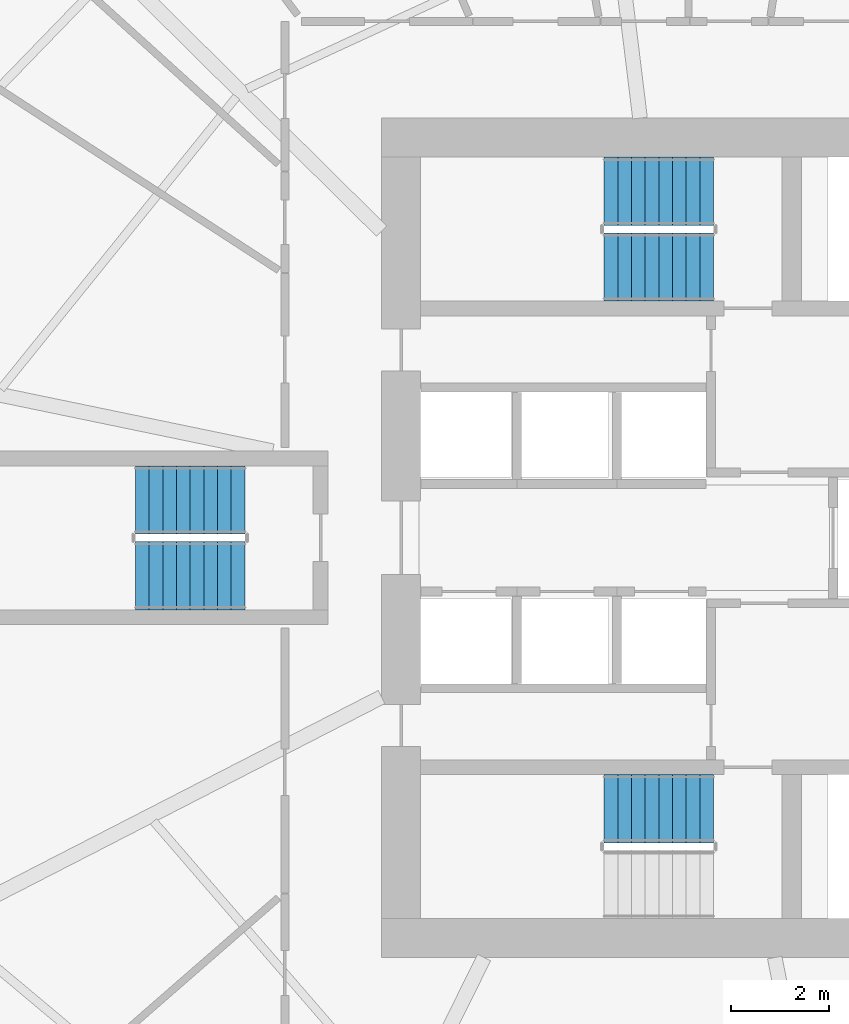
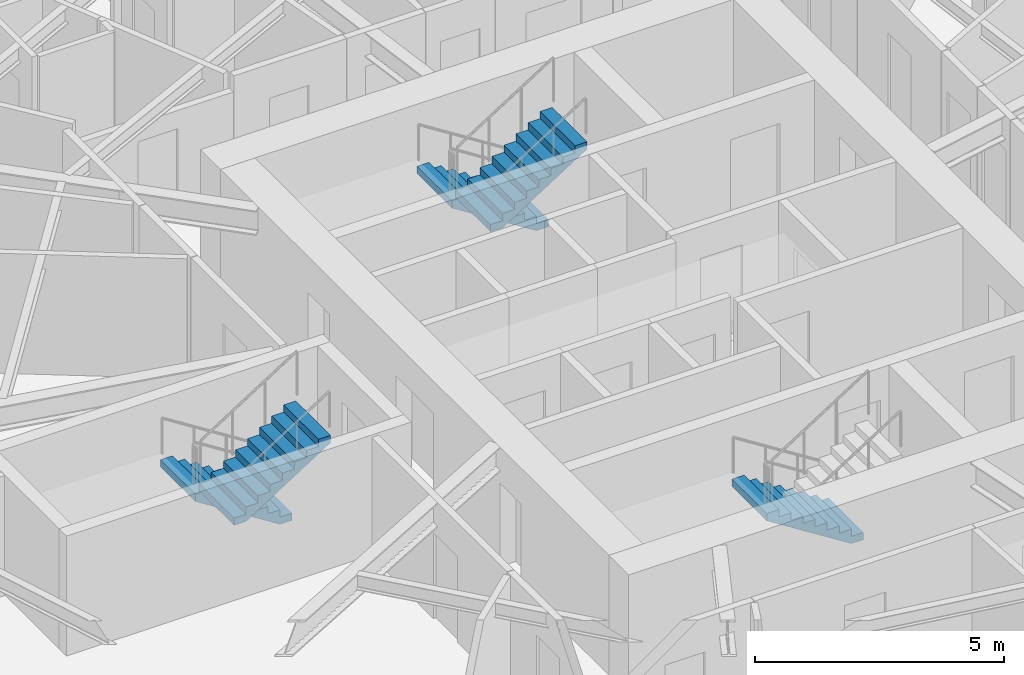
# One storey, part 10 of 14: 5 stair flights, 3 elements without a shape of their own.
"""IFC4 building model written with IfcOpenShell, lengths in metres."""

from ifc_helpers import new_model, si_unit, direction, frame, origin, place, context, subcontext, project, spatial, polyline, outline, extrude, source, transform, mapped, material, type_object, element, aggregate, save


model = new_model("IFC4")

# Units and contexts
model_context = context("Model", 3, precision=1e-05, world=origin(), true_north=direction((0.0, 1.0)))
body_context = subcontext(model_context, "Body", "Model", "MODEL_VIEW")
ifc_project = project(units=[si_unit("LENGTHUNIT", "METRE"), si_unit("AREAUNIT", "SQUARE_METRE"), si_unit("VOLUMEUNIT", "CUBIC_METRE"), si_unit("PLANEANGLEUNIT", "RADIAN"), si_unit("MASSUNIT", "GRAM", prefix="KILO")], contexts=[model_context])

# Site, building, storey
site_placement = place(None, origin())
site = spatial("IfcSite", under=ifc_project, at=site_placement, CompositionType="ELEMENT")
building_placement = place(site_placement, origin())
building = spatial("IfcBuilding", under=site, at=building_placement, Name="Qafzar Sky-Pleat Residences", CompositionType="ELEMENT")
storey_placement = place(building_placement, frame((0.0, 0.0, 43.0)))
storey = spatial("IfcBuildingStorey", under=building, at=storey_placement, Name="L12", CompositionType="ELEMENT", Elevation=43.0)

# Stair, stair flight
ifc_material = material(Name="Concrete C40/50", Category="concrete")
stair_type = type_object("IfcStairType", Name="STAIR-H320", PredefinedType="HALF_TURN_STAIR", material=ifc_material)
stair_1_placement = place(storey_placement, origin())
stair_1 = element("IfcStair", 1, at=stair_1_placement, inside=storey, type_object=stair_type, Name="L12 Protected Exit Stair ST1", PredefinedType="HALF_TURN_STAIR")
stair_flight_type = type_object("IfcStairFlightType", Name="FLIGHT-H320", PredefinedType="STRAIGHT", material=ifc_material)
shared_shape = source(origin(), body_context, "Body", "SweptSolid", [
    extrude(outline(polyline([(0.0, 0.0), (0.0, 0.177734375), (0.280029296875, 0.177734375), (0.280029296875, 0.35546875), (0.56005859375, 0.35546875), (0.56005859375, 0.533447265625), (0.840087890625, 0.533447265625), (0.840087890625, 0.711181640625), (1.1201171875, 0.711181640625), (1.1201171875, 0.888916015625), (1.39990234375, 0.888916015625), (1.39990234375, 1.066650390625), (1.679931640625, 1.066650390625), (1.679931640625, 1.244384765625), (1.9599609375, 1.244384765625), (1.9599609375, 1.422119140625), (2.239990234375, 1.422119140625), (2.239990234375, 1.60009765625), (2.239990234375, 1.24462890625), (0.27978515625, 0.0), (0.0, 0.0)])), frame((0.0, 0.699951171875, 0.0), z_axis=(0.0, -1.0, 0.0), x_axis=(1.0, 0.0, 0.0)), (0.0, 0.0, 1.0), 1.39990234375),
])
stair_flight_1_placement = place(storey_placement, frame((30.800048828125, 20.449951171875, 0.0), z_axis=(0.0, 0.0, 1.0), x_axis=(-1.0, 0.0, 0.0)))
stair_flight_1 = element("IfcStairFlight", 2, at=stair_flight_1_placement, type_object=stair_flight_type, Name="ST1 flight 1", NumberOfRisers=9, NumberOfTreads=8, PredefinedType="STRAIGHT", RiserHeight=0.177777778, TreadLength=0.28, context=body_context, shape_type="MappedRepresentation", body=[
    mapped(shared_shape, transform((0.0, 0.0, 0.0), x_axis=(1.0, 0.0, 0.0), y_axis=(0.0, 1.0, 0.0), z_axis=(0.0, 0.0, 1.0), scale=1.0)),
])
aggregate(stair_1, [stair_flight_1])

# Stair, stair flights
stair_2_placement = place(storey_placement, origin())
stair_2 = element("IfcStair", 3, at=stair_2_placement, inside=storey, type_object=stair_type, Name="L12 Protected Exit Stair ST2", PredefinedType="HALF_TURN_STAIR")
stair_flight_2_placement = place(storey_placement, frame((30.800048828125, 33.10009765625, 0.0), z_axis=(0.0, 0.0, 1.0), x_axis=(-1.0, 0.0, 0.0)))
stair_flight_2 = element("IfcStairFlight", 4, at=stair_flight_2_placement, type_object=stair_flight_type, Name="ST2 flight 1", NumberOfRisers=9, NumberOfTreads=8, PredefinedType="STRAIGHT", RiserHeight=0.177777778, TreadLength=0.28, context=body_context, shape_type="MappedRepresentation", body=[
    mapped(shared_shape, transform((0.0, 0.0, 0.0), x_axis=(1.0, 0.0, 0.0), y_axis=(0.0, 1.0, 0.0), z_axis=(0.0, 0.0, 1.0), scale=1.0)),
])
stair_flight_3_placement = place(storey_placement, frame((28.56005859375, 31.550048828125, 1.60009765625), z_axis=(0.0, 0.0, 1.0), x_axis=(1.0, 0.0, 0.0)))
stair_flight_3 = element("IfcStairFlight", 5, at=stair_flight_3_placement, type_object=stair_flight_type, Name="ST2 flight 2", NumberOfRisers=9, NumberOfTreads=8, PredefinedType="STRAIGHT", RiserHeight=0.177777778, TreadLength=0.28, context=body_context, shape_type="MappedRepresentation", body=[
    mapped(shared_shape, transform((0.0, 0.0, 0.0), x_axis=(1.0, 0.0, 0.0), y_axis=(0.0, 1.0, 0.0), z_axis=(0.0, 0.0, 1.0), scale=1.0)),
])
aggregate(stair_2, [stair_flight_2, stair_flight_3])

stair_3_placement = place(storey_placement, origin())
stair_3 = element("IfcStair", 6, at=stair_3_placement, inside=storey, type_object=stair_type, Name="L12 Protected Exit Stair ST3", PredefinedType="HALF_TURN_STAIR")
stair_flight_4_placement = place(storey_placement, frame((21.199951171875, 26.77490234375, 0.0), z_axis=(0.0, 0.0, 1.0), x_axis=(-1.0, 0.0, 0.0)))
stair_flight_4 = element("IfcStairFlight", 7, at=stair_flight_4_placement, type_object=stair_flight_type, Name="ST3 flight 1", NumberOfRisers=9, NumberOfTreads=8, PredefinedType="STRAIGHT", RiserHeight=0.177777778, TreadLength=0.28, context=body_context, shape_type="MappedRepresentation", body=[
    mapped(shared_shape, transform((0.0, 0.0, 0.0), x_axis=(1.0, 0.0, 0.0), y_axis=(0.0, 1.0, 0.0), z_axis=(0.0, 0.0, 1.0), scale=1.0)),
])
stair_flight_5_placement = place(storey_placement, frame((18.9599609375, 25.22509765625, 1.60009765625), z_axis=(0.0, 0.0, 1.0), x_axis=(1.0, 0.0, 0.0)))
stair_flight_5 = element("IfcStairFlight", 8, at=stair_flight_5_placement, type_object=stair_flight_type, Name="ST3 flight 2", NumberOfRisers=9, NumberOfTreads=8, PredefinedType="STRAIGHT", RiserHeight=0.177777778, TreadLength=0.28, context=body_context, shape_type="MappedRepresentation", body=[
    mapped(shared_shape, transform((0.0, 0.0, 0.0), x_axis=(1.0, 0.0, 0.0), y_axis=(0.0, 1.0, 0.0), z_axis=(0.0, 0.0, 1.0), scale=1.0)),
])
aggregate(stair_3, [stair_flight_4, stair_flight_5])

save(model, "model.ifc")
